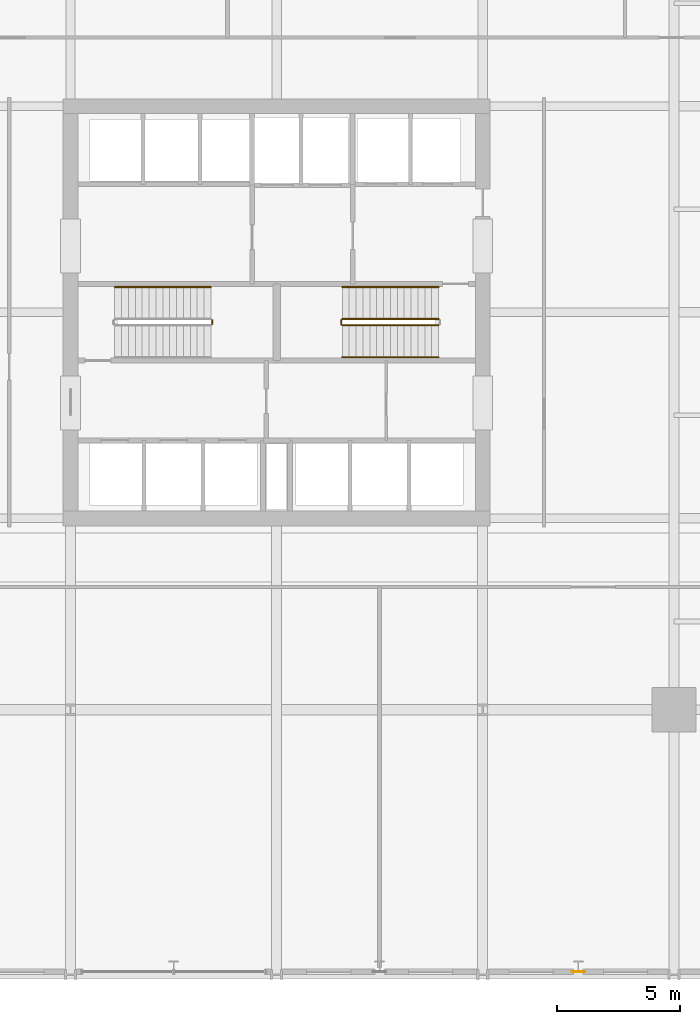
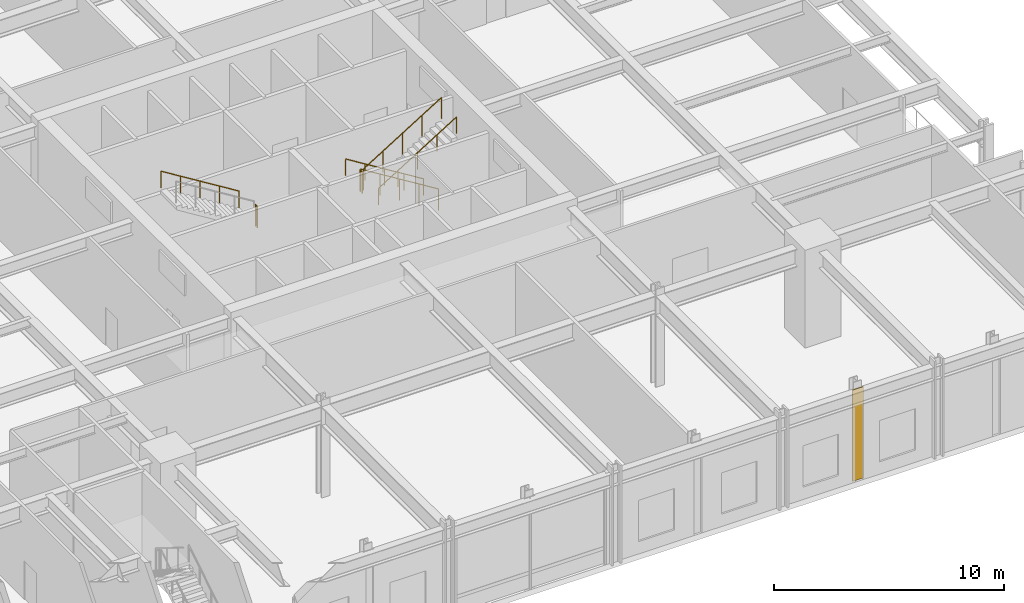
# One storey, part 16 of 20: 7 railings, 1 covering.
"""IFC4 building model written with IfcOpenShell, lengths in metres."""

from ifc_helpers import new_model, si_unit, direction, frame, origin, origin_2d, place, context, subcontext, project, spatial, rectangle, circle, extrude, material, layer, layer_set, type_object, element, save


model = new_model("IFC4")

# Units and contexts
model_context = context("Model", 3, precision=1e-05, world=origin(), true_north=direction((0.0, 1.0)))
body_context = subcontext(model_context, "Body", "Model", "MODEL_VIEW")
ifc_project = project(units=[si_unit("LENGTHUNIT", "METRE"), si_unit("AREAUNIT", "SQUARE_METRE"), si_unit("VOLUMEUNIT", "CUBIC_METRE"), si_unit("PLANEANGLEUNIT", "RADIAN"), si_unit("MASSUNIT", "GRAM", prefix="KILO")], contexts=[model_context])

# Site, building, storey
site_placement = place(None, origin())
site = spatial("IfcSite", under=ifc_project, at=site_placement, CompositionType="ELEMENT")
building_placement = place(site_placement, origin())
building = spatial("IfcBuilding", under=site, at=building_placement, Name="Drelvath Grand Hotel", CompositionType="ELEMENT")
storey_placement = place(building_placement, frame((0.0, 0.0, 5.60009765625)))
storey = spatial("IfcBuildingStorey", under=building, at=storey_placement, Name="L01", CompositionType="ELEMENT", Elevation=5.60009765625)

# Covering
ifc_material_1 = material(Name="Warm Bronze Anodised Aluminium Cladding", Category="aluminium")
ifc_layer = layer(ifc_material_1, 0.034912109375)
ifc_layer_set = layer_set([ifc_layer], Name="Warm Bronze Anodised Aluminium Cladding")
covering_type = type_object("IfcCoveringType", Name="Bronze Anodised Pier Cladding Panel 35", PredefinedType="CLADDING", material=ifc_layer_set)
covering_placement = place(storey_placement, frame((12.300048828125, 0.1201171875, -0.000244140625), z_axis=(0.0, 0.0, 1.0), x_axis=(1.0, 0.0, 0.0)))
element("IfcCovering", 1, at=covering_placement, inside=storey, type_object=covering_type, Name="L01 Colonnade Bronze Pier Cladding S4", PredefinedType="CLADDING", context=body_context, shape_type="SweptSolid", body=[
    extrude(rectangle(XDim=0.550048828125, YDim=0.034912109375, at=origin_2d()), origin(), (0.0, 0.0, 1.0), 4.85009765625),
])

# Railings
ifc_material_2 = material(Name="Painted Steel S275", Category="steel")
railing_type_1 = type_object("IfcRailingType", Name="Core Stair Wall Handrail 900", PredefinedType="HANDRAIL", material=ifc_material_2)
railing_1_placement = place(storey_placement, frame((-2.679931640625, 28.030029296875, 2.773193359375)))
element("IfcRailing", 2, at=railing_1_placement, inside=storey, type_object=railing_type_1, Name="L01 ST-1 stair handrail 2", PredefinedType="HANDRAIL", context=body_context, shape_type="SweptSolid", body=[
    extrude(circle(Radius=0.02392578125, at=origin_2d()), frame((0.0, 0.0, 0.8759765625), z_axis=(-0.850266275192, 0.0, 0.526352791643), x_axis=(0.0, -1.0, 0.0)), (0.0, 0.0, 1.0), 4.610595703125),
    extrude(circle(Radius=0.02099609375, at=origin_2d()), origin(), (0.0, 0.0, 1.0), 0.851806640625),
    extrude(circle(Radius=0.02099609375, at=origin_2d()), frame((-0.97998046875, 0.0, 0.606689453125)), (0.0, 0.0, 1.0), 0.851806640625),
    extrude(circle(Radius=0.02099609375, at=origin_2d()), frame((-1.9599609375, 0.0, 1.21337890625)), (0.0, 0.0, 1.0), 0.851806640625),
    extrude(circle(Radius=0.02099609375, at=origin_2d()), frame((-2.940185546875, 0.0, 1.820068359375)), (0.0, 0.0, 1.0), 0.851806640625),
    extrude(circle(Radius=0.02099609375, at=origin_2d()), frame((-3.920166015625, 0.0, 2.4267578125)), (0.0, 0.0, 1.0), 0.851806640625),
])
railing_2_placement = place(storey_placement, frame((6.60009765625, 28.030029296875, 0.17333984375)))
element("IfcRailing", 3, at=railing_2_placement, inside=storey, type_object=railing_type_1, Name="L01 ST-2 stair handrail 1", PredefinedType="HANDRAIL", context=body_context, shape_type="SweptSolid", body=[
    extrude(circle(Radius=0.02392578125, at=origin_2d()), frame((0.0, 0.0, 0.8759765625), z_axis=(-0.850289973577, 0.0, 0.526314507528), x_axis=(0.0, -1.0, 0.0)), (0.0, 0.0, 1.0), 4.6103515625),
    extrude(circle(Radius=0.02099609375, at=origin_2d()), origin(), (0.0, 0.0, 1.0), 0.851806640625),
    extrude(circle(Radius=0.02099609375, at=origin_2d()), frame((-0.97998046875, 0.0, 0.606689453125)), (0.0, 0.0, 1.0), 0.851806640625),
    extrude(circle(Radius=0.02099609375, at=origin_2d()), frame((-1.9599609375, 0.0, 1.21337890625)), (0.0, 0.0, 1.0), 0.851806640625),
    extrude(circle(Radius=0.02099609375, at=origin_2d()), frame((-2.940185546875, 0.0, 1.81982421875)), (0.0, 0.0, 1.0), 0.851806640625),
    extrude(circle(Radius=0.02099609375, at=origin_2d()), frame((-3.920166015625, 0.0, 2.426513671875)), (0.0, 0.0, 1.0), 0.851806640625),
])
railing_3_placement = place(storey_placement, frame((2.679931640625, 25.169921875, 2.773193359375)))
element("IfcRailing", 4, at=railing_3_placement, inside=storey, type_object=railing_type_1, Name="L01 ST-2 stair handrail 2", PredefinedType="HANDRAIL", context=body_context, shape_type="SweptSolid", body=[
    extrude(circle(Radius=0.02392578125, at=origin_2d()), frame((0.0, 0.0, 0.8759765625), z_axis=(0.850266275192, 0.0, 0.526352791643), x_axis=(0.0, 1.0, 0.0)), (0.0, 0.0, 1.0), 4.610595703125),
    extrude(circle(Radius=0.02099609375, at=origin_2d()), origin(), (0.0, 0.0, 1.0), 0.851806640625),
    extrude(circle(Radius=0.02099609375, at=origin_2d()), frame((0.97998046875, 0.0, 0.606689453125)), (0.0, 0.0, 1.0), 0.851806640625),
    extrude(circle(Radius=0.02099609375, at=origin_2d()), frame((1.9599609375, 0.0, 1.21337890625)), (0.0, 0.0, 1.0), 0.851806640625),
    extrude(circle(Radius=0.02099609375, at=origin_2d()), frame((2.940185546875, 0.0, 1.820068359375)), (0.0, 0.0, 1.0), 0.851806640625),
    extrude(circle(Radius=0.02099609375, at=origin_2d()), frame((3.920166015625, 0.0, 2.4267578125)), (0.0, 0.0, 1.0), 0.851806640625),
])
railing_type_2 = type_object("IfcRailingType", Name="Core Stair Well Guardrail 1100", PredefinedType="GUARDRAIL", material=ifc_material_2)
railing_4_placement = place(storey_placement, frame((-2.6298828125, 26.52001953125, 2.599853515625)))
element("IfcRailing", 5, at=railing_4_placement, inside=storey, type_object=railing_type_2, Name="L01 ST-1 stair guard 2", PredefinedType="GUARDRAIL", context=body_context, shape_type="SweptSolid", body=[
    extrude(circle(Radius=0.02392578125, at=origin_2d()), frame((0.0, 0.0, 1.1259765625), z_axis=(0.0, 1.0, 0.0), x_axis=(-1.0, 0.0, 0.0)), (0.0, 0.0, 1.0), 0.159912109375),
    extrude(circle(Radius=0.02099609375, at=origin_2d()), origin(), (0.0, 0.0, 1.0), 1.101806640625),
    extrude(circle(Radius=0.02099609375, at=origin_2d()), frame((0.0, 0.159912109375, 0.0)), (0.0, 0.0, 1.0), 1.101806640625),
])
railing_5_placement = place(storey_placement, frame((6.60009765625, 26.72998046875, 0.17333984375)))
element("IfcRailing", 6, at=railing_5_placement, inside=storey, type_object=railing_type_2, Name="L01 ST-2 stair guard 1", PredefinedType="GUARDRAIL", context=body_context, shape_type="SweptSolid", body=[
    extrude(circle(Radius=0.02392578125, at=origin_2d()), frame((0.0, 0.0, 1.1259765625), z_axis=(-0.850289973577, 0.0, 0.526314507528), x_axis=(0.0, -1.0, 0.0)), (0.0, 0.0, 1.0), 4.6103515625),
    extrude(circle(Radius=0.02099609375, at=origin_2d()), origin(), (0.0, 0.0, 1.0), 1.101806640625),
    extrude(circle(Radius=0.02099609375, at=origin_2d()), frame((-0.97998046875, 0.0, 0.606689453125)), (0.0, 0.0, 1.0), 1.101806640625),
    extrude(circle(Radius=0.02099609375, at=origin_2d()), frame((-1.9599609375, 0.0, 1.21337890625)), (0.0, 0.0, 1.0), 1.101806640625),
    extrude(circle(Radius=0.02099609375, at=origin_2d()), frame((-2.940185546875, 0.0, 1.81982421875)), (0.0, 0.0, 1.0), 1.101806640625),
    extrude(circle(Radius=0.02099609375, at=origin_2d()), frame((-3.920166015625, 0.0, 2.426513671875)), (0.0, 0.0, 1.0), 1.101806640625),
])
railing_6_placement = place(storey_placement, frame((2.6298828125, 26.679931640625, 2.599853515625)))
element("IfcRailing", 7, at=railing_6_placement, inside=storey, type_object=railing_type_2, Name="L01 ST-2 stair guard 2", PredefinedType="GUARDRAIL", context=body_context, shape_type="SweptSolid", body=[
    extrude(circle(Radius=0.02392578125, at=origin_2d()), frame((0.0, 0.0, 1.1259765625), z_axis=(0.0, -1.0, 0.0), x_axis=(1.0, 0.0, 0.0)), (0.0, 0.0, 1.0), 0.159912109375),
    extrude(circle(Radius=0.02099609375, at=origin_2d()), origin(), (0.0, 0.0, 1.0), 1.101806640625),
    extrude(circle(Radius=0.02099609375, at=origin_2d()), frame((0.0, -0.159912109375, 0.0)), (0.0, 0.0, 1.0), 1.101806640625),
])
railing_7_placement = place(storey_placement, frame((2.679931640625, 26.469970703125, 2.773193359375)))
element("IfcRailing", 8, at=railing_7_placement, inside=storey, type_object=railing_type_2, Name="L01 ST-2 stair guard 3", PredefinedType="GUARDRAIL", context=body_context, shape_type="SweptSolid", body=[
    extrude(circle(Radius=0.02392578125, at=origin_2d()), frame((0.0, 0.0, 1.1259765625), z_axis=(0.850266275192, 0.0, 0.526352791643), x_axis=(0.0, 1.0, 0.0)), (0.0, 0.0, 1.0), 4.610595703125),
    extrude(circle(Radius=0.02099609375, at=origin_2d()), origin(), (0.0, 0.0, 1.0), 1.101806640625),
    extrude(circle(Radius=0.02099609375, at=origin_2d()), frame((0.97998046875, 0.0, 0.606689453125)), (0.0, 0.0, 1.0), 1.101806640625),
    extrude(circle(Radius=0.02099609375, at=origin_2d()), frame((1.9599609375, 0.0, 1.21337890625)), (0.0, 0.0, 1.0), 1.101806640625),
    extrude(circle(Radius=0.02099609375, at=origin_2d()), frame((2.940185546875, 0.0, 1.820068359375)), (0.0, 0.0, 1.0), 1.101806640625),
    extrude(circle(Radius=0.02099609375, at=origin_2d()), frame((3.920166015625, 0.0, 2.4267578125)), (0.0, 0.0, 1.0), 1.101806640625),
])

save(model, "model.ifc")
